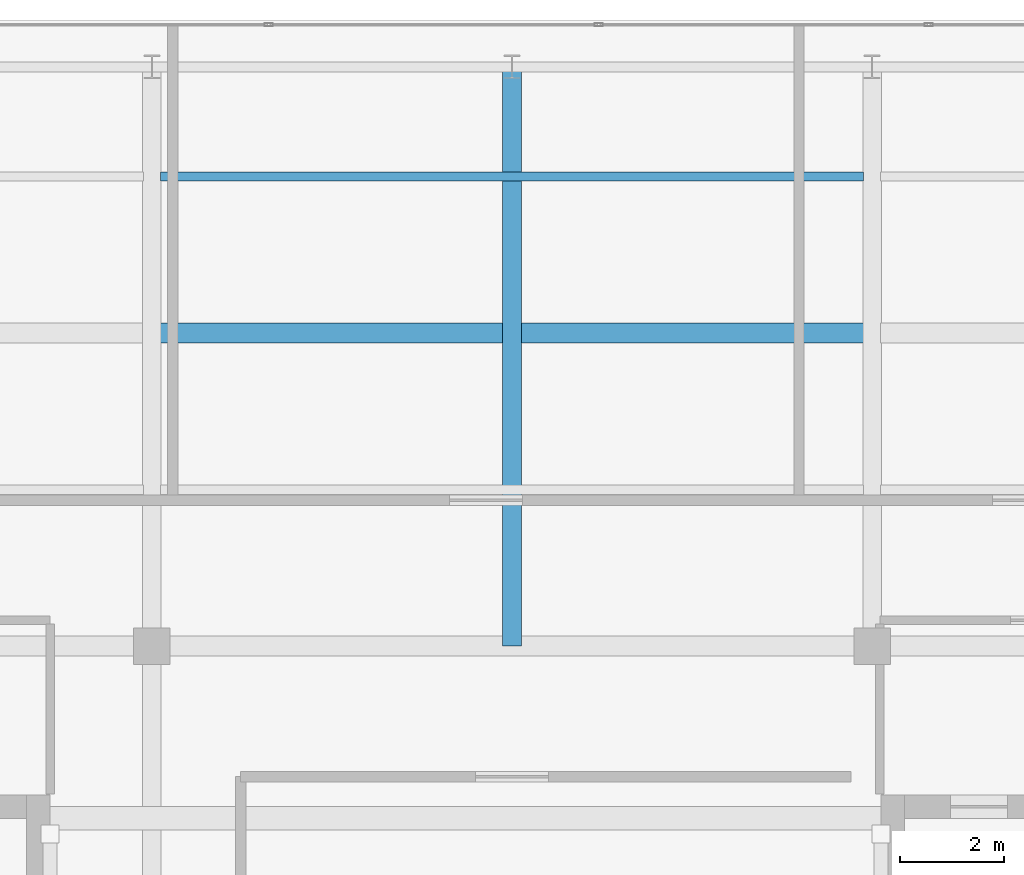
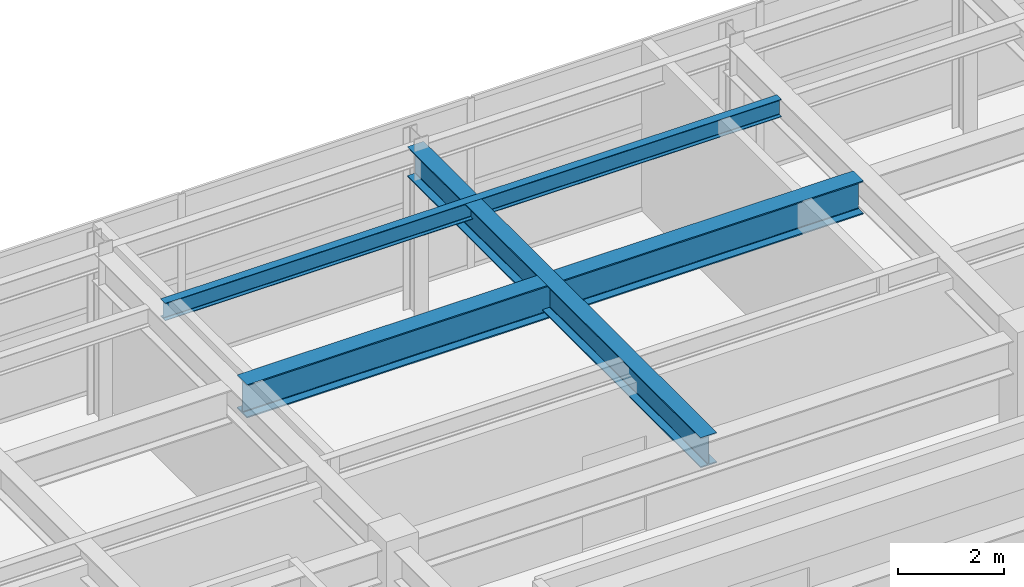
# One storey, part 24 of 32: 3 beams.
"""IFC4 building model written with IfcOpenShell, lengths in metres."""

from ifc_helpers import new_model, si_unit, direction, frame, origin, origin_2d, place, context, subcontext, project, spatial, i_section, extrude, source, transform, mapped, material, material_profile, profile_set, type_object, element, save


model = new_model("IFC4")

# Units and contexts
model_context = context("Model", 3, precision=1e-05, world=origin(), true_north=direction((0.0, 1.0)))
body_context = subcontext(model_context, "Body", "Model", "MODEL_VIEW")
ifc_project = project(units=[si_unit("LENGTHUNIT", "METRE"), si_unit("AREAUNIT", "SQUARE_METRE"), si_unit("VOLUMEUNIT", "CUBIC_METRE"), si_unit("PLANEANGLEUNIT", "RADIAN"), si_unit("MASSUNIT", "GRAM", prefix="KILO")], contexts=[model_context])

# Site, building, storey
site_placement = place(None, origin())
site = spatial("IfcSite", under=ifc_project, at=site_placement, CompositionType="ELEMENT")
building_placement = place(site_placement, origin())
building = spatial("IfcBuilding", under=site, at=building_placement, Name="Khoralis Quay Care Tower", CompositionType="ELEMENT")
storey_placement = place(building_placement, frame((0.0, 0.0, 306.300048828125)))
storey = spatial("IfcBuildingStorey", under=building, at=storey_placement, Name="L80", CompositionType="ELEMENT", Elevation=306.300048828125)

# Beams
ifc_material = material(Name="Steel S355", Category="steel")
ifc_material_profile_1 = material_profile(ifc_material, i_section(OverallWidth=0.381103515625, OverallDepth=0.77294921875, WebThickness=0.0166015625, FlangeThickness=0.027587890625, FilletRadius=0.02197265625, at=origin_2d()), Name="Steel S355")
ifc_profile_set_1 = profile_set([ifc_material_profile_1], Name="Steel S355")
beam_type_1 = type_object("IfcBeamType", Name="BM-W760X257", PredefinedType="BEAM", material=ifc_profile_set_1)
shared_shape_1 = source(origin(), body_context, "Body", "SweptSolid", [
    extrude(i_section(OverallWidth=0.381103515625, OverallDepth=0.77294921875, WebThickness=0.0166015625, FlangeThickness=0.027587890625, FilletRadius=0.02197265625, at=origin_2d()), origin(), (0.0, 0.0, 1.0), 13.46923828125),
])
beam_1_placement = place(storey_placement, frame((17.265380859375, 36.0, 3.533447265625), z_axis=(1.0, 0.0, 0.0), x_axis=(0.0, 1.0, 0.0)))
element("IfcBeam", 1, at=beam_1_placement, inside=storey, type_object=beam_type_1, Name="BM-TGCC-L80-360", PredefinedType="BEAM", context=body_context, shape_type="MappedRepresentation", body=[
    mapped(shared_shape_1, transform((0.0, 0.0, 0.0), scale=1.0)),
])
ifc_material_profile_2 = material_profile(ifc_material, i_section(OverallWidth=0.35498046875, OverallDepth=0.695068359375, WebThickness=0.015380859375, FlangeThickness=0.02490234375, FilletRadius=0.02001953125, at=origin_2d()), Name="Steel S355")
ifc_profile_set_2 = profile_set([ifc_material_profile_2], Name="Steel S355")
beam_type_2 = type_object("IfcBeamType", Name="BM-W690X217", PredefinedType="BEAM", material=ifc_profile_set_2)
shared_shape_2 = source(origin(), body_context, "Body", "SweptSolid", [
    extrude(i_section(OverallWidth=0.35498046875, OverallDepth=0.695068359375, WebThickness=0.015380859375, FlangeThickness=0.02490234375, FilletRadius=0.02001953125, at=origin_2d()), origin(), (0.0, 0.0, 1.0), 11.10009765625),
])
beam_2_placement = place(storey_placement, frame((24.0, 30.0, 3.572509765625), z_axis=(0.0, 1.0, 0.0), x_axis=(-1.0, 0.0, 0.0)))
element("IfcBeam", 2, at=beam_2_placement, inside=storey, type_object=beam_type_2, Name="BM-TGYN-L80-240", PredefinedType="BEAM", context=body_context, shape_type="MappedRepresentation", body=[
    mapped(shared_shape_2, transform((0.0, 0.0, 0.0), scale=1.0)),
])
ifc_material_profile_3 = material_profile(ifc_material, i_section(OverallWidth=0.177978515625, OverallDepth=0.406982421875, WebThickness=0.0078125, FlangeThickness=0.0126953125, FilletRadius=0.012939453125, at=origin_2d()), Name="Steel S355")
ifc_profile_set_3 = profile_set([ifc_material_profile_3], Name="Steel S355")
beam_type_3 = type_object("IfcBeamType", Name="BM-W410X60", PredefinedType="JOIST", material=ifc_profile_set_3)
shared_shape_3 = source(origin(), body_context, "Body", "SweptSolid", [
    extrude(i_section(OverallWidth=0.177978515625, OverallDepth=0.406982421875, WebThickness=0.0078125, FlangeThickness=0.0126953125, FilletRadius=0.012939453125, at=origin_2d()), origin(), (0.0, 0.0, 1.0), 13.46923828125),
])
beam_3_placement = place(storey_placement, frame((17.265380859375, 39.0, 3.716552734375), z_axis=(1.0, 0.0, 0.0), x_axis=(0.0, 1.0, 0.0)))
element("IfcBeam", 3, at=beam_3_placement, inside=storey, type_object=beam_type_3, Name="BM-TJS-L80-29", PredefinedType="JOIST", context=body_context, shape_type="MappedRepresentation", body=[
    mapped(shared_shape_3, transform((0.0, 0.0, 0.0), scale=1.0)),
])

save(model, "model.ifc")
